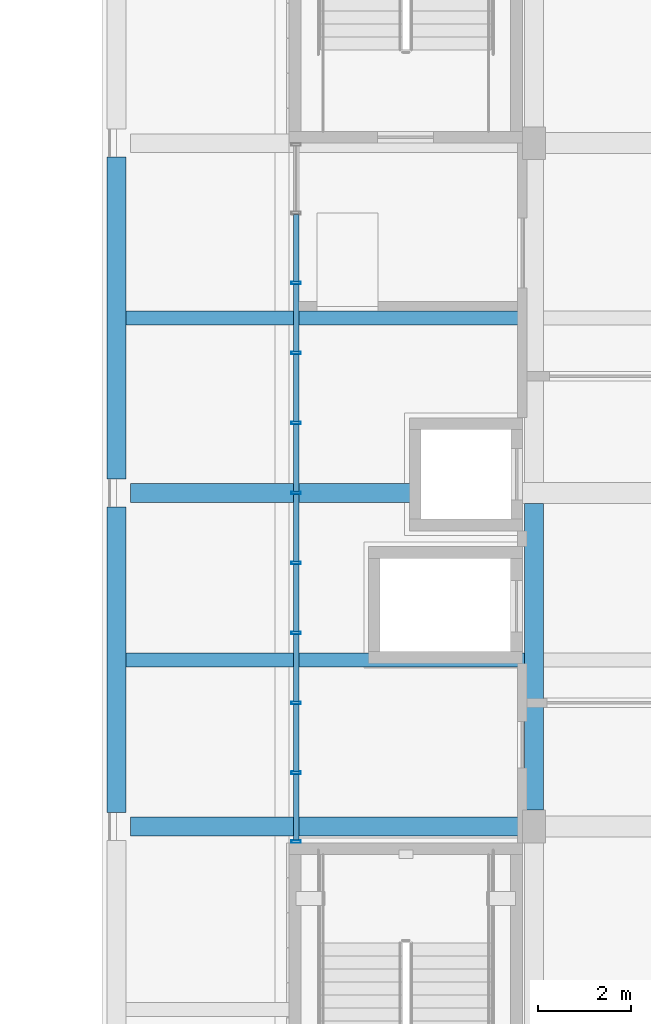
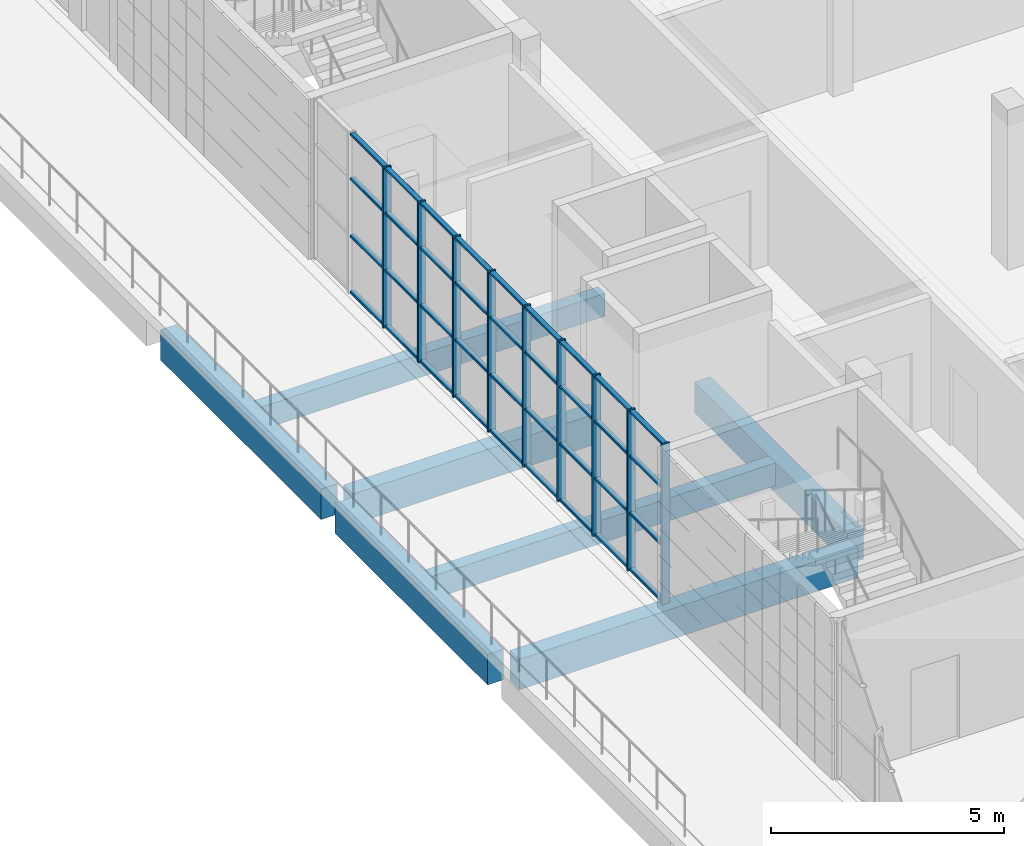
# One storey, part 9 of 36: 45 members, 7 beams, 1 element without a shape of its own.
"""IFC4 building model written with IfcOpenShell, lengths in metres."""

from ifc_helpers import new_model, si_unit, direction, frame, origin, origin_2d, place, context, subcontext, project, spatial, rectangle, hollow_rectangle, extrude, material, material_profile, profile_set, type_object, element, aggregate, save


model = new_model("IFC4")

# Units and contexts
model_context = context("Model", 3, precision=1e-05, world=origin(), true_north=direction((0.0, 1.0)))
body_context = subcontext(model_context, "Body", "Model", "MODEL_VIEW")
ifc_project = project(units=[si_unit("LENGTHUNIT", "METRE"), si_unit("AREAUNIT", "SQUARE_METRE"), si_unit("VOLUMEUNIT", "CUBIC_METRE"), si_unit("PLANEANGLEUNIT", "RADIAN"), si_unit("MASSUNIT", "GRAM", prefix="KILO")], contexts=[model_context])

# Site, building, storey
site_placement = place(None, origin())
site = spatial("IfcSite", under=ifc_project, at=site_placement, CompositionType="ELEMENT")
building_placement = place(site_placement, origin())
building = spatial("IfcBuilding", under=site, at=building_placement, Name="Sun Court Science Centre", CompositionType="ELEMENT")
storey_placement = place(building_placement, frame((0.0, 0.0, 24.75)))
storey = spatial("IfcBuildingStorey", under=building, at=storey_placement, Name="L05", CompositionType="ELEMENT", Elevation=24.75)

# Curtain wall, members
ifc_material_1 = material(Name="Aluminium EN AW-6063 T6", Category="aluminium")
curtain_wall_type = type_object("IfcCurtainWallType", Name="Laboratory tall bay curtain wall 1500", PredefinedType="NOTDEFINED", material=ifc_material_1)
curtain_wall_placement = place(storey_placement, origin())
curtain_wall = element("IfcCurtainWall", 1, at=curtain_wall_placement, inside=storey, type_object=curtain_wall_type, Name="Curtain wall V4 W5 L05 02", PredefinedType="NOTDEFINED")
ifc_material_2 = material(Name="Aluminium EN AW-6063 T6", Category="aluminium")
ifc_material_profile_1 = material_profile(ifc_material_2, hollow_rectangle(XDim=0.06005859375, YDim=0.199951171875, WallThickness=0.0048828125, InnerFilletRadius=0.0048828125, OuterFilletRadius=0.007568359375, at=origin_2d()), Name="AL 60x200x5")
ifc_profile_set_1 = profile_set([ifc_material_profile_1], Name="Aluminium EN AW-6063 T6")
member_type_1 = type_object("IfcMemberType", Name="Curtain wall mullion AL 60x200", PredefinedType="MULLION", material=ifc_profile_set_1)
member_1_placement = place(storey_placement, frame((82.14990234375, 43.530029296875, 0.0), z_axis=(0.0, 0.0, 1.0), x_axis=(0.0, 1.0, 0.0)))
member_1 = element("IfcMember", 2, at=member_1_placement, type_object=member_type_1, Name="CW2-45 mullion 1", PredefinedType="MULLION", context=body_context, shape_type="SweptSolid", body=[
    extrude(hollow_rectangle(XDim=0.06005859375, YDim=0.199951171875, WallThickness=0.0048828125, InnerFilletRadius=0.0048828125, OuterFilletRadius=0.007568359375, at=origin_2d()), origin(), (0.0, 0.0, 1.0), 4.199951171875),
])
member_2_placement = place(storey_placement, frame((82.14990234375, 45.0, 0.0), z_axis=(0.0, 0.0, 1.0), x_axis=(0.0, 1.0, 0.0)))
member_2 = element("IfcMember", 3, at=member_2_placement, type_object=member_type_1, Name="CW2-45 mullion 2", PredefinedType="MULLION", context=body_context, shape_type="SweptSolid", body=[
    extrude(hollow_rectangle(XDim=0.06005859375, YDim=0.199951171875, WallThickness=0.0048828125, InnerFilletRadius=0.0048828125, OuterFilletRadius=0.007568359375, at=origin_2d()), origin(), (0.0, 0.0, 1.0), 4.199951171875),
])
member_3_placement = place(storey_placement, frame((82.14990234375, 46.5, 0.0), z_axis=(0.0, 0.0, 1.0), x_axis=(0.0, 1.0, 0.0)))
member_3 = element("IfcMember", 4, at=member_3_placement, type_object=member_type_1, Name="CW2-45 mullion 3", PredefinedType="MULLION", context=body_context, shape_type="SweptSolid", body=[
    extrude(hollow_rectangle(XDim=0.06005859375, YDim=0.199951171875, WallThickness=0.0048828125, InnerFilletRadius=0.0048828125, OuterFilletRadius=0.007568359375, at=origin_2d()), origin(), (0.0, 0.0, 1.0), 4.199951171875),
])
member_4_placement = place(storey_placement, frame((82.14990234375, 48.0, 0.0), z_axis=(0.0, 0.0, 1.0), x_axis=(0.0, 1.0, 0.0)))
member_4 = element("IfcMember", 5, at=member_4_placement, type_object=member_type_1, Name="CW2-45 mullion 4", PredefinedType="MULLION", context=body_context, shape_type="SweptSolid", body=[
    extrude(hollow_rectangle(XDim=0.06005859375, YDim=0.199951171875, WallThickness=0.0048828125, InnerFilletRadius=0.0048828125, OuterFilletRadius=0.007568359375, at=origin_2d()), origin(), (0.0, 0.0, 1.0), 4.199951171875),
])
member_5_placement = place(storey_placement, frame((82.14990234375, 49.5, 0.0), z_axis=(0.0, 0.0, 1.0), x_axis=(0.0, 1.0, 0.0)))
member_5 = element("IfcMember", 6, at=member_5_placement, type_object=member_type_1, Name="CW2-45 mullion 5", PredefinedType="MULLION", context=body_context, shape_type="SweptSolid", body=[
    extrude(hollow_rectangle(XDim=0.06005859375, YDim=0.199951171875, WallThickness=0.0048828125, InnerFilletRadius=0.0048828125, OuterFilletRadius=0.007568359375, at=origin_2d()), origin(), (0.0, 0.0, 1.0), 4.199951171875),
])
member_6_placement = place(storey_placement, frame((82.14990234375, 51.0, 0.0), z_axis=(0.0, 0.0, 1.0), x_axis=(0.0, 1.0, 0.0)))
member_6 = element("IfcMember", 7, at=member_6_placement, type_object=member_type_1, Name="CW2-45 mullion 6", PredefinedType="MULLION", context=body_context, shape_type="SweptSolid", body=[
    extrude(hollow_rectangle(XDim=0.06005859375, YDim=0.199951171875, WallThickness=0.0048828125, InnerFilletRadius=0.0048828125, OuterFilletRadius=0.007568359375, at=origin_2d()), origin(), (0.0, 0.0, 1.0), 4.199951171875),
])
member_7_placement = place(storey_placement, frame((82.14990234375, 52.5, 0.0), z_axis=(0.0, 0.0, 1.0), x_axis=(0.0, 1.0, 0.0)))
member_7 = element("IfcMember", 8, at=member_7_placement, type_object=member_type_1, Name="CW2-45 mullion 7", PredefinedType="MULLION", context=body_context, shape_type="SweptSolid", body=[
    extrude(hollow_rectangle(XDim=0.06005859375, YDim=0.199951171875, WallThickness=0.0048828125, InnerFilletRadius=0.0048828125, OuterFilletRadius=0.007568359375, at=origin_2d()), origin(), (0.0, 0.0, 1.0), 4.199951171875),
])
member_8_placement = place(storey_placement, frame((82.14990234375, 54.0, 0.0), z_axis=(0.0, 0.0, 1.0), x_axis=(0.0, 1.0, 0.0)))
member_8 = element("IfcMember", 9, at=member_8_placement, type_object=member_type_1, Name="CW2-45 mullion 8", PredefinedType="MULLION", context=body_context, shape_type="SweptSolid", body=[
    extrude(hollow_rectangle(XDim=0.06005859375, YDim=0.199951171875, WallThickness=0.0048828125, InnerFilletRadius=0.0048828125, OuterFilletRadius=0.007568359375, at=origin_2d()), origin(), (0.0, 0.0, 1.0), 4.199951171875),
])
member_9_placement = place(storey_placement, frame((82.14990234375, 55.5, 0.0), z_axis=(0.0, 0.0, 1.0), x_axis=(0.0, 1.0, 0.0)))
member_9 = element("IfcMember", 10, at=member_9_placement, type_object=member_type_1, Name="CW2-45 mullion 9", PredefinedType="MULLION", context=body_context, shape_type="SweptSolid", body=[
    extrude(hollow_rectangle(XDim=0.06005859375, YDim=0.199951171875, WallThickness=0.0048828125, InnerFilletRadius=0.0048828125, OuterFilletRadius=0.007568359375, at=origin_2d()), origin(), (0.0, 0.0, 1.0), 4.199951171875),
])
ifc_material_3 = material(Name="Aluminium EN AW-6063 T6", Category="aluminium")
ifc_material_profile_2 = material_profile(ifc_material_3, hollow_rectangle(XDim=0.06005859375, YDim=0.1201171875, WallThickness=0.00390625, InnerFilletRadius=0.00390625, OuterFilletRadius=0.006103515625, at=origin_2d()), Name="AL 60x120x4")
ifc_profile_set_2 = profile_set([ifc_material_profile_2], Name="Aluminium EN AW-6063 T6")
member_type_2 = type_object("IfcMemberType", Name="Curtain wall transom AL 60x120", PredefinedType="USERDEFINED", material=ifc_profile_set_2)
member_10_placement = place(storey_placement, frame((82.14990234375, 43.56005859375, 0.030029296875), z_axis=(0.0, 1.0, 0.0), x_axis=(0.0, 0.0, 1.0)))
member_10 = element("IfcMember", 11, at=member_10_placement, type_object=member_type_2, Name="CW2-45 transom 1.1", ObjectType="TRANSOM", PredefinedType="USERDEFINED", context=body_context, shape_type="SweptSolid", body=[
    extrude(hollow_rectangle(XDim=0.06005859375, YDim=0.1201171875, WallThickness=0.00390625, InnerFilletRadius=0.00390625, OuterFilletRadius=0.006103515625, at=origin_2d()), origin(), (0.0, 0.0, 1.0), 1.409912109375),
])
member_11_placement = place(storey_placement, frame((82.14990234375, 45.030029296875, 0.030029296875), z_axis=(0.0, 1.0, 0.0), x_axis=(0.0, 0.0, 1.0)))
member_11 = element("IfcMember", 12, at=member_11_placement, type_object=member_type_2, Name="CW2-45 transom 2.1", ObjectType="TRANSOM", PredefinedType="USERDEFINED", context=body_context, shape_type="SweptSolid", body=[
    extrude(hollow_rectangle(XDim=0.06005859375, YDim=0.1201171875, WallThickness=0.00390625, InnerFilletRadius=0.00390625, OuterFilletRadius=0.006103515625, at=origin_2d()), origin(), (0.0, 0.0, 1.0), 1.43994140625),
])
member_12_placement = place(storey_placement, frame((82.14990234375, 46.530029296875, 0.030029296875), z_axis=(0.0, 1.0, 0.0), x_axis=(0.0, 0.0, 1.0)))
member_12 = element("IfcMember", 13, at=member_12_placement, type_object=member_type_2, Name="CW2-45 transom 3.1", ObjectType="TRANSOM", PredefinedType="USERDEFINED", context=body_context, shape_type="SweptSolid", body=[
    extrude(hollow_rectangle(XDim=0.06005859375, YDim=0.1201171875, WallThickness=0.00390625, InnerFilletRadius=0.00390625, OuterFilletRadius=0.006103515625, at=origin_2d()), origin(), (0.0, 0.0, 1.0), 1.43994140625),
])
member_13_placement = place(storey_placement, frame((82.14990234375, 48.030029296875, 0.030029296875), z_axis=(0.0, 1.0, 0.0), x_axis=(0.0, 0.0, 1.0)))
member_13 = element("IfcMember", 14, at=member_13_placement, type_object=member_type_2, Name="CW2-45 transom 4.1", ObjectType="TRANSOM", PredefinedType="USERDEFINED", context=body_context, shape_type="SweptSolid", body=[
    extrude(hollow_rectangle(XDim=0.06005859375, YDim=0.1201171875, WallThickness=0.00390625, InnerFilletRadius=0.00390625, OuterFilletRadius=0.006103515625, at=origin_2d()), origin(), (0.0, 0.0, 1.0), 1.43994140625),
])
member_14_placement = place(storey_placement, frame((82.14990234375, 49.530029296875, 0.030029296875), z_axis=(0.0, 1.0, 0.0), x_axis=(0.0, 0.0, 1.0)))
member_14 = element("IfcMember", 15, at=member_14_placement, type_object=member_type_2, Name="CW2-45 transom 5.1", ObjectType="TRANSOM", PredefinedType="USERDEFINED", context=body_context, shape_type="SweptSolid", body=[
    extrude(hollow_rectangle(XDim=0.06005859375, YDim=0.1201171875, WallThickness=0.00390625, InnerFilletRadius=0.00390625, OuterFilletRadius=0.006103515625, at=origin_2d()), origin(), (0.0, 0.0, 1.0), 1.43994140625),
])
member_15_placement = place(storey_placement, frame((82.14990234375, 51.030029296875, 0.030029296875), z_axis=(0.0, 1.0, 0.0), x_axis=(0.0, 0.0, 1.0)))
member_15 = element("IfcMember", 16, at=member_15_placement, type_object=member_type_2, Name="CW2-45 transom 6.1", ObjectType="TRANSOM", PredefinedType="USERDEFINED", context=body_context, shape_type="SweptSolid", body=[
    extrude(hollow_rectangle(XDim=0.06005859375, YDim=0.1201171875, WallThickness=0.00390625, InnerFilletRadius=0.00390625, OuterFilletRadius=0.006103515625, at=origin_2d()), origin(), (0.0, 0.0, 1.0), 1.43994140625),
])
member_16_placement = place(storey_placement, frame((82.14990234375, 52.530029296875, 0.030029296875), z_axis=(0.0, 1.0, 0.0), x_axis=(0.0, 0.0, 1.0)))
member_16 = element("IfcMember", 17, at=member_16_placement, type_object=member_type_2, Name="CW2-45 transom 7.1", ObjectType="TRANSOM", PredefinedType="USERDEFINED", context=body_context, shape_type="SweptSolid", body=[
    extrude(hollow_rectangle(XDim=0.06005859375, YDim=0.1201171875, WallThickness=0.00390625, InnerFilletRadius=0.00390625, OuterFilletRadius=0.006103515625, at=origin_2d()), origin(), (0.0, 0.0, 1.0), 1.43994140625),
])
member_17_placement = place(storey_placement, frame((82.14990234375, 54.030029296875, 0.030029296875), z_axis=(0.0, 1.0, 0.0), x_axis=(0.0, 0.0, 1.0)))
member_17 = element("IfcMember", 18, at=member_17_placement, type_object=member_type_2, Name="CW2-45 transom 8.1", ObjectType="TRANSOM", PredefinedType="USERDEFINED", context=body_context, shape_type="SweptSolid", body=[
    extrude(hollow_rectangle(XDim=0.06005859375, YDim=0.1201171875, WallThickness=0.00390625, InnerFilletRadius=0.00390625, OuterFilletRadius=0.006103515625, at=origin_2d()), origin(), (0.0, 0.0, 1.0), 1.43994140625),
])
member_18_placement = place(storey_placement, frame((82.14990234375, 55.530029296875, 0.030029296875), z_axis=(0.0, 1.0, 0.0), x_axis=(0.0, 0.0, 1.0)))
member_18 = element("IfcMember", 19, at=member_18_placement, type_object=member_type_2, Name="CW2-45 transom 9.1", ObjectType="TRANSOM", PredefinedType="USERDEFINED", context=body_context, shape_type="SweptSolid", body=[
    extrude(hollow_rectangle(XDim=0.06005859375, YDim=0.1201171875, WallThickness=0.00390625, InnerFilletRadius=0.00390625, OuterFilletRadius=0.006103515625, at=origin_2d()), origin(), (0.0, 0.0, 1.0), 1.43994140625),
])
member_19_placement = place(storey_placement, frame((82.14990234375, 43.56005859375, 1.5), z_axis=(0.0, 1.0, 0.0), x_axis=(0.0, 0.0, 1.0)))
member_19 = element("IfcMember", 20, at=member_19_placement, type_object=member_type_2, Name="CW2-45 transom 1.2", ObjectType="TRANSOM", PredefinedType="USERDEFINED", context=body_context, shape_type="SweptSolid", body=[
    extrude(hollow_rectangle(XDim=0.06005859375, YDim=0.1201171875, WallThickness=0.00390625, InnerFilletRadius=0.00390625, OuterFilletRadius=0.006103515625, at=origin_2d()), origin(), (0.0, 0.0, 1.0), 1.409912109375),
])
member_20_placement = place(storey_placement, frame((82.14990234375, 45.030029296875, 1.5), z_axis=(0.0, 1.0, 0.0), x_axis=(0.0, 0.0, 1.0)))
member_20 = element("IfcMember", 21, at=member_20_placement, type_object=member_type_2, Name="CW2-45 transom 2.2", ObjectType="TRANSOM", PredefinedType="USERDEFINED", context=body_context, shape_type="SweptSolid", body=[
    extrude(hollow_rectangle(XDim=0.06005859375, YDim=0.1201171875, WallThickness=0.00390625, InnerFilletRadius=0.00390625, OuterFilletRadius=0.006103515625, at=origin_2d()), origin(), (0.0, 0.0, 1.0), 1.43994140625),
])
member_21_placement = place(storey_placement, frame((82.14990234375, 46.530029296875, 1.5), z_axis=(0.0, 1.0, 0.0), x_axis=(0.0, 0.0, 1.0)))
member_21 = element("IfcMember", 22, at=member_21_placement, type_object=member_type_2, Name="CW2-45 transom 3.2", ObjectType="TRANSOM", PredefinedType="USERDEFINED", context=body_context, shape_type="SweptSolid", body=[
    extrude(hollow_rectangle(XDim=0.06005859375, YDim=0.1201171875, WallThickness=0.00390625, InnerFilletRadius=0.00390625, OuterFilletRadius=0.006103515625, at=origin_2d()), origin(), (0.0, 0.0, 1.0), 1.43994140625),
])
member_22_placement = place(storey_placement, frame((82.14990234375, 48.030029296875, 1.5), z_axis=(0.0, 1.0, 0.0), x_axis=(0.0, 0.0, 1.0)))
member_22 = element("IfcMember", 23, at=member_22_placement, type_object=member_type_2, Name="CW2-45 transom 4.2", ObjectType="TRANSOM", PredefinedType="USERDEFINED", context=body_context, shape_type="SweptSolid", body=[
    extrude(hollow_rectangle(XDim=0.06005859375, YDim=0.1201171875, WallThickness=0.00390625, InnerFilletRadius=0.00390625, OuterFilletRadius=0.006103515625, at=origin_2d()), origin(), (0.0, 0.0, 1.0), 1.43994140625),
])
member_23_placement = place(storey_placement, frame((82.14990234375, 49.530029296875, 1.5), z_axis=(0.0, 1.0, 0.0), x_axis=(0.0, 0.0, 1.0)))
member_23 = element("IfcMember", 24, at=member_23_placement, type_object=member_type_2, Name="CW2-45 transom 5.2", ObjectType="TRANSOM", PredefinedType="USERDEFINED", context=body_context, shape_type="SweptSolid", body=[
    extrude(hollow_rectangle(XDim=0.06005859375, YDim=0.1201171875, WallThickness=0.00390625, InnerFilletRadius=0.00390625, OuterFilletRadius=0.006103515625, at=origin_2d()), origin(), (0.0, 0.0, 1.0), 1.43994140625),
])
member_24_placement = place(storey_placement, frame((82.14990234375, 51.030029296875, 1.5), z_axis=(0.0, 1.0, 0.0), x_axis=(0.0, 0.0, 1.0)))
member_24 = element("IfcMember", 25, at=member_24_placement, type_object=member_type_2, Name="CW2-45 transom 6.2", ObjectType="TRANSOM", PredefinedType="USERDEFINED", context=body_context, shape_type="SweptSolid", body=[
    extrude(hollow_rectangle(XDim=0.06005859375, YDim=0.1201171875, WallThickness=0.00390625, InnerFilletRadius=0.00390625, OuterFilletRadius=0.006103515625, at=origin_2d()), origin(), (0.0, 0.0, 1.0), 1.43994140625),
])
member_25_placement = place(storey_placement, frame((82.14990234375, 52.530029296875, 1.5), z_axis=(0.0, 1.0, 0.0), x_axis=(0.0, 0.0, 1.0)))
member_25 = element("IfcMember", 26, at=member_25_placement, type_object=member_type_2, Name="CW2-45 transom 7.2", ObjectType="TRANSOM", PredefinedType="USERDEFINED", context=body_context, shape_type="SweptSolid", body=[
    extrude(hollow_rectangle(XDim=0.06005859375, YDim=0.1201171875, WallThickness=0.00390625, InnerFilletRadius=0.00390625, OuterFilletRadius=0.006103515625, at=origin_2d()), origin(), (0.0, 0.0, 1.0), 1.43994140625),
])
member_26_placement = place(storey_placement, frame((82.14990234375, 54.030029296875, 1.5), z_axis=(0.0, 1.0, 0.0), x_axis=(0.0, 0.0, 1.0)))
member_26 = element("IfcMember", 27, at=member_26_placement, type_object=member_type_2, Name="CW2-45 transom 8.2", ObjectType="TRANSOM", PredefinedType="USERDEFINED", context=body_context, shape_type="SweptSolid", body=[
    extrude(hollow_rectangle(XDim=0.06005859375, YDim=0.1201171875, WallThickness=0.00390625, InnerFilletRadius=0.00390625, OuterFilletRadius=0.006103515625, at=origin_2d()), origin(), (0.0, 0.0, 1.0), 1.43994140625),
])
member_27_placement = place(storey_placement, frame((82.14990234375, 55.530029296875, 1.5), z_axis=(0.0, 1.0, 0.0), x_axis=(0.0, 0.0, 1.0)))
member_27 = element("IfcMember", 28, at=member_27_placement, type_object=member_type_2, Name="CW2-45 transom 9.2", ObjectType="TRANSOM", PredefinedType="USERDEFINED", context=body_context, shape_type="SweptSolid", body=[
    extrude(hollow_rectangle(XDim=0.06005859375, YDim=0.1201171875, WallThickness=0.00390625, InnerFilletRadius=0.00390625, OuterFilletRadius=0.006103515625, at=origin_2d()), origin(), (0.0, 0.0, 1.0), 1.43994140625),
])
member_28_placement = place(storey_placement, frame((82.14990234375, 43.56005859375, 3.0), z_axis=(0.0, 1.0, 0.0), x_axis=(0.0, 0.0, 1.0)))
member_28 = element("IfcMember", 29, at=member_28_placement, type_object=member_type_2, Name="CW2-45 transom 1.3", ObjectType="TRANSOM", PredefinedType="USERDEFINED", context=body_context, shape_type="SweptSolid", body=[
    extrude(hollow_rectangle(XDim=0.06005859375, YDim=0.1201171875, WallThickness=0.00390625, InnerFilletRadius=0.00390625, OuterFilletRadius=0.006103515625, at=origin_2d()), origin(), (0.0, 0.0, 1.0), 1.409912109375),
])
member_29_placement = place(storey_placement, frame((82.14990234375, 45.030029296875, 3.0), z_axis=(0.0, 1.0, 0.0), x_axis=(0.0, 0.0, 1.0)))
member_29 = element("IfcMember", 30, at=member_29_placement, type_object=member_type_2, Name="CW2-45 transom 2.3", ObjectType="TRANSOM", PredefinedType="USERDEFINED", context=body_context, shape_type="SweptSolid", body=[
    extrude(hollow_rectangle(XDim=0.06005859375, YDim=0.1201171875, WallThickness=0.00390625, InnerFilletRadius=0.00390625, OuterFilletRadius=0.006103515625, at=origin_2d()), origin(), (0.0, 0.0, 1.0), 1.43994140625),
])
member_30_placement = place(storey_placement, frame((82.14990234375, 46.530029296875, 3.0), z_axis=(0.0, 1.0, 0.0), x_axis=(0.0, 0.0, 1.0)))
member_30 = element("IfcMember", 31, at=member_30_placement, type_object=member_type_2, Name="CW2-45 transom 3.3", ObjectType="TRANSOM", PredefinedType="USERDEFINED", context=body_context, shape_type="SweptSolid", body=[
    extrude(hollow_rectangle(XDim=0.06005859375, YDim=0.1201171875, WallThickness=0.00390625, InnerFilletRadius=0.00390625, OuterFilletRadius=0.006103515625, at=origin_2d()), origin(), (0.0, 0.0, 1.0), 1.43994140625),
])
member_31_placement = place(storey_placement, frame((82.14990234375, 48.030029296875, 3.0), z_axis=(0.0, 1.0, 0.0), x_axis=(0.0, 0.0, 1.0)))
member_31 = element("IfcMember", 32, at=member_31_placement, type_object=member_type_2, Name="CW2-45 transom 4.3", ObjectType="TRANSOM", PredefinedType="USERDEFINED", context=body_context, shape_type="SweptSolid", body=[
    extrude(hollow_rectangle(XDim=0.06005859375, YDim=0.1201171875, WallThickness=0.00390625, InnerFilletRadius=0.00390625, OuterFilletRadius=0.006103515625, at=origin_2d()), origin(), (0.0, 0.0, 1.0), 1.43994140625),
])
member_32_placement = place(storey_placement, frame((82.14990234375, 49.530029296875, 3.0), z_axis=(0.0, 1.0, 0.0), x_axis=(0.0, 0.0, 1.0)))
member_32 = element("IfcMember", 33, at=member_32_placement, type_object=member_type_2, Name="CW2-45 transom 5.3", ObjectType="TRANSOM", PredefinedType="USERDEFINED", context=body_context, shape_type="SweptSolid", body=[
    extrude(hollow_rectangle(XDim=0.06005859375, YDim=0.1201171875, WallThickness=0.00390625, InnerFilletRadius=0.00390625, OuterFilletRadius=0.006103515625, at=origin_2d()), origin(), (0.0, 0.0, 1.0), 1.43994140625),
])
member_33_placement = place(storey_placement, frame((82.14990234375, 51.030029296875, 3.0), z_axis=(0.0, 1.0, 0.0), x_axis=(0.0, 0.0, 1.0)))
member_33 = element("IfcMember", 34, at=member_33_placement, type_object=member_type_2, Name="CW2-45 transom 6.3", ObjectType="TRANSOM", PredefinedType="USERDEFINED", context=body_context, shape_type="SweptSolid", body=[
    extrude(hollow_rectangle(XDim=0.06005859375, YDim=0.1201171875, WallThickness=0.00390625, InnerFilletRadius=0.00390625, OuterFilletRadius=0.006103515625, at=origin_2d()), origin(), (0.0, 0.0, 1.0), 1.43994140625),
])
member_34_placement = place(storey_placement, frame((82.14990234375, 52.530029296875, 3.0), z_axis=(0.0, 1.0, 0.0), x_axis=(0.0, 0.0, 1.0)))
member_34 = element("IfcMember", 35, at=member_34_placement, type_object=member_type_2, Name="CW2-45 transom 7.3", ObjectType="TRANSOM", PredefinedType="USERDEFINED", context=body_context, shape_type="SweptSolid", body=[
    extrude(hollow_rectangle(XDim=0.06005859375, YDim=0.1201171875, WallThickness=0.00390625, InnerFilletRadius=0.00390625, OuterFilletRadius=0.006103515625, at=origin_2d()), origin(), (0.0, 0.0, 1.0), 1.43994140625),
])
member_35_placement = place(storey_placement, frame((82.14990234375, 54.030029296875, 3.0), z_axis=(0.0, 1.0, 0.0), x_axis=(0.0, 0.0, 1.0)))
member_35 = element("IfcMember", 36, at=member_35_placement, type_object=member_type_2, Name="CW2-45 transom 8.3", ObjectType="TRANSOM", PredefinedType="USERDEFINED", context=body_context, shape_type="SweptSolid", body=[
    extrude(hollow_rectangle(XDim=0.06005859375, YDim=0.1201171875, WallThickness=0.00390625, InnerFilletRadius=0.00390625, OuterFilletRadius=0.006103515625, at=origin_2d()), origin(), (0.0, 0.0, 1.0), 1.43994140625),
])
member_36_placement = place(storey_placement, frame((82.14990234375, 55.530029296875, 3.0), z_axis=(0.0, 1.0, 0.0), x_axis=(0.0, 0.0, 1.0)))
member_36 = element("IfcMember", 37, at=member_36_placement, type_object=member_type_2, Name="CW2-45 transom 9.3", ObjectType="TRANSOM", PredefinedType="USERDEFINED", context=body_context, shape_type="SweptSolid", body=[
    extrude(hollow_rectangle(XDim=0.06005859375, YDim=0.1201171875, WallThickness=0.00390625, InnerFilletRadius=0.00390625, OuterFilletRadius=0.006103515625, at=origin_2d()), origin(), (0.0, 0.0, 1.0), 1.43994140625),
])
member_37_placement = place(storey_placement, frame((82.14990234375, 43.56005859375, 4.169921875), z_axis=(0.0, 1.0, 0.0), x_axis=(0.0, 0.0, 1.0)))
member_37 = element("IfcMember", 38, at=member_37_placement, type_object=member_type_2, Name="CW2-45 transom 1.4", ObjectType="TRANSOM", PredefinedType="USERDEFINED", context=body_context, shape_type="SweptSolid", body=[
    extrude(hollow_rectangle(XDim=0.06005859375, YDim=0.1201171875, WallThickness=0.00390625, InnerFilletRadius=0.00390625, OuterFilletRadius=0.006103515625, at=origin_2d()), origin(), (0.0, 0.0, 1.0), 1.409912109375),
])
member_38_placement = place(storey_placement, frame((82.14990234375, 45.030029296875, 4.169921875), z_axis=(0.0, 1.0, 0.0), x_axis=(0.0, 0.0, 1.0)))
member_38 = element("IfcMember", 39, at=member_38_placement, type_object=member_type_2, Name="CW2-45 transom 2.4", ObjectType="TRANSOM", PredefinedType="USERDEFINED", context=body_context, shape_type="SweptSolid", body=[
    extrude(hollow_rectangle(XDim=0.06005859375, YDim=0.1201171875, WallThickness=0.00390625, InnerFilletRadius=0.00390625, OuterFilletRadius=0.006103515625, at=origin_2d()), origin(), (0.0, 0.0, 1.0), 1.43994140625),
])
member_39_placement = place(storey_placement, frame((82.14990234375, 46.530029296875, 4.169921875), z_axis=(0.0, 1.0, 0.0), x_axis=(0.0, 0.0, 1.0)))
member_39 = element("IfcMember", 40, at=member_39_placement, type_object=member_type_2, Name="CW2-45 transom 3.4", ObjectType="TRANSOM", PredefinedType="USERDEFINED", context=body_context, shape_type="SweptSolid", body=[
    extrude(hollow_rectangle(XDim=0.06005859375, YDim=0.1201171875, WallThickness=0.00390625, InnerFilletRadius=0.00390625, OuterFilletRadius=0.006103515625, at=origin_2d()), origin(), (0.0, 0.0, 1.0), 1.43994140625),
])
member_40_placement = place(storey_placement, frame((82.14990234375, 48.030029296875, 4.169921875), z_axis=(0.0, 1.0, 0.0), x_axis=(0.0, 0.0, 1.0)))
member_40 = element("IfcMember", 41, at=member_40_placement, type_object=member_type_2, Name="CW2-45 transom 4.4", ObjectType="TRANSOM", PredefinedType="USERDEFINED", context=body_context, shape_type="SweptSolid", body=[
    extrude(hollow_rectangle(XDim=0.06005859375, YDim=0.1201171875, WallThickness=0.00390625, InnerFilletRadius=0.00390625, OuterFilletRadius=0.006103515625, at=origin_2d()), origin(), (0.0, 0.0, 1.0), 1.43994140625),
])
member_41_placement = place(storey_placement, frame((82.14990234375, 49.530029296875, 4.169921875), z_axis=(0.0, 1.0, 0.0), x_axis=(0.0, 0.0, 1.0)))
member_41 = element("IfcMember", 42, at=member_41_placement, type_object=member_type_2, Name="CW2-45 transom 5.4", ObjectType="TRANSOM", PredefinedType="USERDEFINED", context=body_context, shape_type="SweptSolid", body=[
    extrude(hollow_rectangle(XDim=0.06005859375, YDim=0.1201171875, WallThickness=0.00390625, InnerFilletRadius=0.00390625, OuterFilletRadius=0.006103515625, at=origin_2d()), origin(), (0.0, 0.0, 1.0), 1.43994140625),
])
member_42_placement = place(storey_placement, frame((82.14990234375, 51.030029296875, 4.169921875), z_axis=(0.0, 1.0, 0.0), x_axis=(0.0, 0.0, 1.0)))
member_42 = element("IfcMember", 43, at=member_42_placement, type_object=member_type_2, Name="CW2-45 transom 6.4", ObjectType="TRANSOM", PredefinedType="USERDEFINED", context=body_context, shape_type="SweptSolid", body=[
    extrude(hollow_rectangle(XDim=0.06005859375, YDim=0.1201171875, WallThickness=0.00390625, InnerFilletRadius=0.00390625, OuterFilletRadius=0.006103515625, at=origin_2d()), origin(), (0.0, 0.0, 1.0), 1.43994140625),
])
member_43_placement = place(storey_placement, frame((82.14990234375, 52.530029296875, 4.169921875), z_axis=(0.0, 1.0, 0.0), x_axis=(0.0, 0.0, 1.0)))
member_43 = element("IfcMember", 44, at=member_43_placement, type_object=member_type_2, Name="CW2-45 transom 7.4", ObjectType="TRANSOM", PredefinedType="USERDEFINED", context=body_context, shape_type="SweptSolid", body=[
    extrude(hollow_rectangle(XDim=0.06005859375, YDim=0.1201171875, WallThickness=0.00390625, InnerFilletRadius=0.00390625, OuterFilletRadius=0.006103515625, at=origin_2d()), origin(), (0.0, 0.0, 1.0), 1.43994140625),
])
member_44_placement = place(storey_placement, frame((82.14990234375, 54.030029296875, 4.169921875), z_axis=(0.0, 1.0, 0.0), x_axis=(0.0, 0.0, 1.0)))
member_44 = element("IfcMember", 45, at=member_44_placement, type_object=member_type_2, Name="CW2-45 transom 8.4", ObjectType="TRANSOM", PredefinedType="USERDEFINED", context=body_context, shape_type="SweptSolid", body=[
    extrude(hollow_rectangle(XDim=0.06005859375, YDim=0.1201171875, WallThickness=0.00390625, InnerFilletRadius=0.00390625, OuterFilletRadius=0.006103515625, at=origin_2d()), origin(), (0.0, 0.0, 1.0), 1.43994140625),
])
member_45_placement = place(storey_placement, frame((82.14990234375, 55.530029296875, 4.169921875), z_axis=(0.0, 1.0, 0.0), x_axis=(0.0, 0.0, 1.0)))
member_45 = element("IfcMember", 46, at=member_45_placement, type_object=member_type_2, Name="CW2-45 transom 9.4", ObjectType="TRANSOM", PredefinedType="USERDEFINED", context=body_context, shape_type="SweptSolid", body=[
    extrude(hollow_rectangle(XDim=0.06005859375, YDim=0.1201171875, WallThickness=0.00390625, InnerFilletRadius=0.00390625, OuterFilletRadius=0.006103515625, at=origin_2d()), origin(), (0.0, 0.0, 1.0), 1.43994140625),
])
aggregate(curtain_wall, [member_1, member_2, member_3, member_4, member_5, member_6, member_7, member_8, member_9, member_10, member_11, member_12, member_13, member_14, member_15, member_16, member_17, member_18, member_19, member_20, member_21, member_22, member_23, member_24, member_25, member_26, member_27, member_28, member_29, member_30, member_31, member_32, member_33, member_34, member_35, member_36, member_37, member_38, member_39, member_40, member_41, member_42, member_43, member_44, member_45])

# Beams
ifc_material_4 = material(Name="Concrete C25/30", Category="concrete")
ifc_material_profile_3 = material_profile(ifc_material_4, rectangle(XDim=0.39990234375, YDim=0.800048828125, at=origin_2d()), Name="RC 400x800")
ifc_profile_set_3 = profile_set([ifc_material_profile_3], Name="Concrete C25/30")
beam_type_1 = type_object("IfcBeamType", Name="RC girder 400x800", PredefinedType="BEAM", material=ifc_profile_set_3)
beam_1_placement = place(storey_placement, frame((78.60009765625, 43.85009765625, -0.699951171875), z_axis=(1.0, 0.0, 0.0), x_axis=(0.0, 1.0, 0.0)))
element("IfcBeam", 47, at=beam_1_placement, inside=storey, type_object=beam_type_1, Name="Girder L05 row 3", PredefinedType="BEAM", context=body_context, shape_type="SweptSolid", body=[
    extrude(rectangle(XDim=0.39990234375, YDim=0.800048828125, at=origin_2d()), origin(), (0.0, 0.0, 1.0), 8.39990234375),
])
beam_2_placement = place(storey_placement, frame((78.60009765625, 51.0, -0.699951171875), z_axis=(1.0, 0.0, 0.0), x_axis=(0.0, 1.0, 0.0)))
element("IfcBeam", 48, at=beam_2_placement, inside=storey, type_object=beam_type_1, Name="Girder L05 row 4", PredefinedType="BEAM", context=body_context, shape_type="SweptSolid", body=[
    extrude(rectangle(XDim=0.39990234375, YDim=0.800048828125, at=origin_2d()), origin(), (0.0, 0.0, 1.0), 6.077392578125),
])
beam_3_placement = place(storey_placement, frame((78.300048828125, 44.14990234375, -0.699951171875), z_axis=(0.0, 1.0, 0.0), x_axis=(-1.0, 0.0, 0.0)))
element("IfcBeam", 49, at=beam_3_placement, inside=storey, type_object=beam_type_1, Name="Girder L05 line 1", PredefinedType="BEAM", context=body_context, shape_type="SweptSolid", body=[
    extrude(rectangle(XDim=0.39990234375, YDim=0.800048828125, at=origin_2d()), origin(), (0.0, 0.0, 1.0), 6.550048828125),
])
beam_4_placement = place(storey_placement, frame((78.300048828125, 51.300048828125, -0.699951171875), z_axis=(0.0, 1.0, 0.0), x_axis=(-1.0, 0.0, 0.0)))
element("IfcBeam", 50, at=beam_4_placement, inside=storey, type_object=beam_type_1, Name="Girder L05 line 1", PredefinedType="BEAM", context=body_context, shape_type="SweptSolid", body=[
    extrude(rectangle(XDim=0.39990234375, YDim=0.800048828125, at=origin_2d()), origin(), (0.0, 0.0, 1.0), 6.89990234375),
])
beam_5_placement = place(storey_placement, frame((87.25, 44.199951171875, -0.699951171875), z_axis=(0.0, 1.0, 0.0), x_axis=(-1.0, 0.0, 0.0)))
element("IfcBeam", 51, at=beam_5_placement, inside=storey, type_object=beam_type_1, Name="Girder L05 line 2", PredefinedType="BEAM", context=body_context, shape_type="SweptSolid", body=[
    extrude(rectangle(XDim=0.39990234375, YDim=0.800048828125, at=origin_2d()), origin(), (0.0, 0.0, 1.0), 6.574951171875),
])
ifc_material_5 = material(Name="Concrete C25/30", Category="concrete")
ifc_material_profile_4 = material_profile(ifc_material_5, rectangle(XDim=0.300048828125, YDim=0.60009765625, at=origin_2d()), Name="RC 300x600")
ifc_profile_set_4 = profile_set([ifc_material_profile_4], Name="Concrete C25/30")
beam_type_2 = type_object("IfcBeamType", Name="RC joist 300x600", PredefinedType="JOIST", material=ifc_profile_set_4)
for number, where, z_axis, x_axis, name in (
    (52, (78.5, 47.425048828125, -0.60009765625), (1.0, 0.0, 0.0), (0.0, 1.0, 0.0), "Joist L05"),
    (53, (78.5, 54.75, -0.60009765625), (1.0, 0.0, 0.0), (0.0, 1.0, 0.0), "Joist L05"),
):
    element("IfcBeam", number, at=place(storey_placement, frame(where, z_axis=z_axis, x_axis=x_axis)), inside=storey, type_object=beam_type_2, Name=name, PredefinedType="JOIST", context=body_context, shape_type="SweptSolid", body=[
        extrude(rectangle(XDim=0.300048828125, YDim=0.60009765625, at=origin_2d()), origin(), (0.0, 0.0, 1.0), 8.550048828125),
    ])

save(model, "model.ifc")
